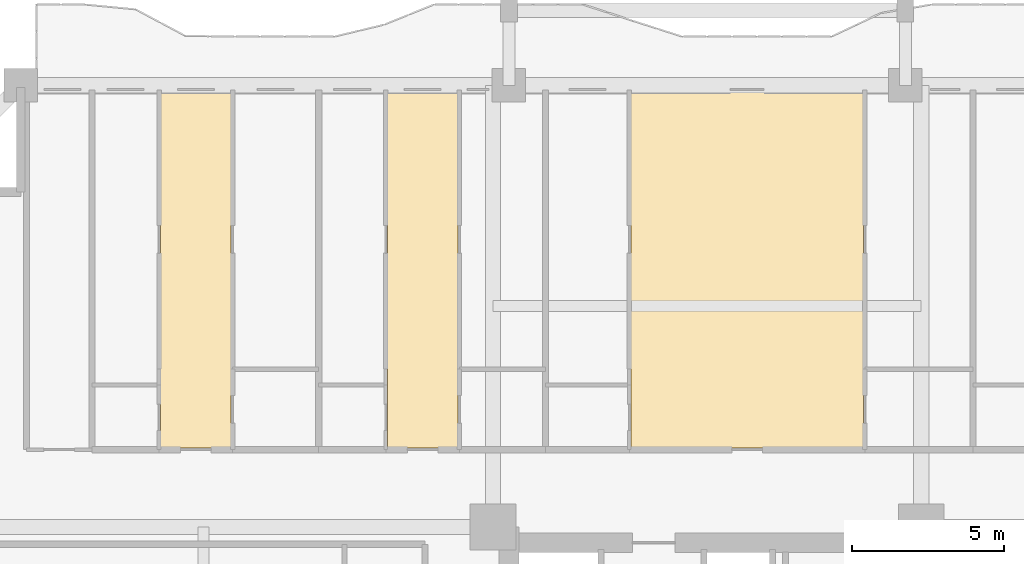
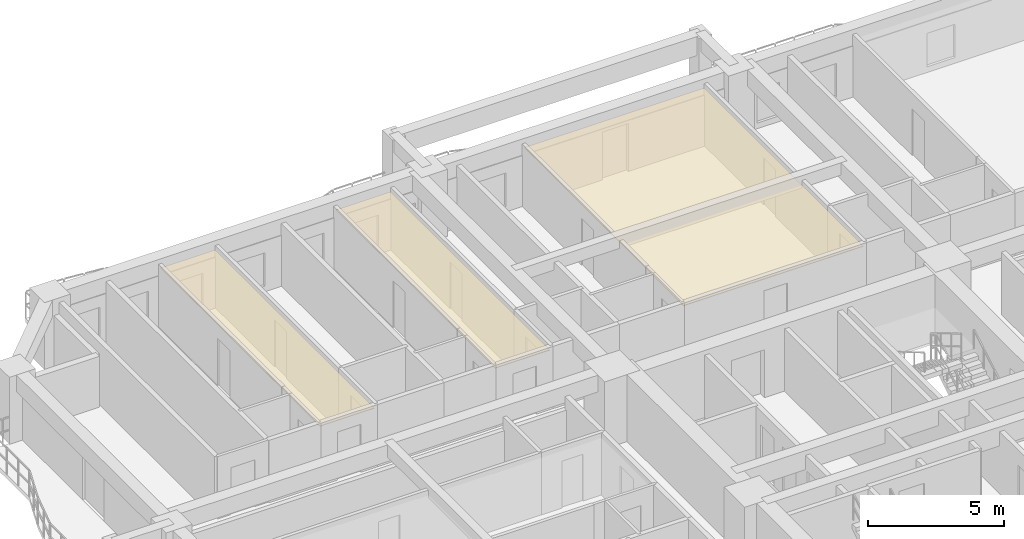
# One storey, part 14 of 15: 3 coverings.
"""IFC4 building model written with IfcOpenShell, lengths in metres."""

from ifc_helpers import new_model, si_unit, direction, frame, origin, place, context, subcontext, project, spatial, polyline, outline, extrude, material, layer, layer_set, type_object, element, save


model = new_model("IFC4")

# Units and contexts
model_context = context("Model", 3, precision=1e-05, world=origin(), true_north=direction((0.0, 1.0)))
body_context = subcontext(model_context, "Body", "Model", "MODEL_VIEW")
ifc_project = project(units=[si_unit("LENGTHUNIT", "METRE"), si_unit("AREAUNIT", "SQUARE_METRE"), si_unit("VOLUMEUNIT", "CUBIC_METRE"), si_unit("PLANEANGLEUNIT", "RADIAN"), si_unit("MASSUNIT", "GRAM", prefix="KILO")], contexts=[model_context])

# Site, building, storey
site_placement = place(None, origin())
site = spatial("IfcSite", under=ifc_project, at=site_placement, CompositionType="ELEMENT")
building_placement = place(site_placement, origin())
building = spatial("IfcBuilding", under=site, at=building_placement, Name="Saelheon Loggia Tower", CompositionType="ELEMENT")
storey_placement = place(building_placement, frame((0.0, 0.0, 46.39990234375)))
storey = spatial("IfcBuildingStorey", under=building, at=storey_placement, Name="L14", CompositionType="ELEMENT", Elevation=46.39990234375)

# Coverings
ifc_material = material(Name="Mineral-Fibre Acoustic Ceiling Board", Category="gypsum")
ifc_layer = layer(ifc_material, 0.02490234375)
ifc_layer_set = layer_set([ifc_layer], Name="Mineral-Fibre Acoustic Ceiling Board")
covering_type = type_object("IfcCoveringType", Name="Cov_Ceiling_Acoustic", PredefinedType="CEILING", material=ifc_layer_set)
covering_1_placement = place(storey_placement, frame((0.0, 0.0, 2.53515625)))
element("IfcCovering", 1, at=covering_1_placement, inside=storey, type_object=covering_type, Name="L14 Acoustic Suspended Ceiling", PredefinedType="CEILING", context=body_context, shape_type="SweptSolid", body=[
    extrude(outline(polyline([(20.080078125, 39.10009765625), (22.39013671875, 39.10009765625), (22.39013671875, 50.800048828125), (20.080078125, 50.800048828125), (20.080078125, 39.10009765625)])), origin(), (0.0, 0.0, 1.0), 0.02490234375),
])
covering_2_placement = place(storey_placement, frame((0.0, 0.0, 2.53515625)))
element("IfcCovering", 2, at=covering_2_placement, inside=storey, type_object=covering_type, Name="L14 Acoustic Suspended Ceiling", PredefinedType="CEILING", context=body_context, shape_type="SweptSolid", body=[
    extrude(outline(polyline([(27.515869140625, 39.10009765625), (29.825927734375, 39.10009765625), (29.825927734375, 50.800048828125), (27.515869140625, 50.800048828125), (27.515869140625, 39.10009765625)])), origin(), (0.0, 0.0, 1.0), 0.02490234375),
])
covering_3_placement = place(storey_placement, frame((0.0, 0.0, 2.53515625)))
element("IfcCovering", 3, at=covering_3_placement, inside=storey, type_object=covering_type, Name="L14 Acoustic Suspended Ceiling", PredefinedType="CEILING", context=body_context, shape_type="SweptSolid", body=[
    extrude(outline(polyline([(35.50146484375, 39.10009765625), (43.125244140625, 39.10009765625), (43.125244140625, 50.800048828125), (35.50146484375, 50.800048828125), (35.50146484375, 39.10009765625)])), origin(), (0.0, 0.0, 1.0), 0.02490234375),
])

save(model, "model.ifc")
